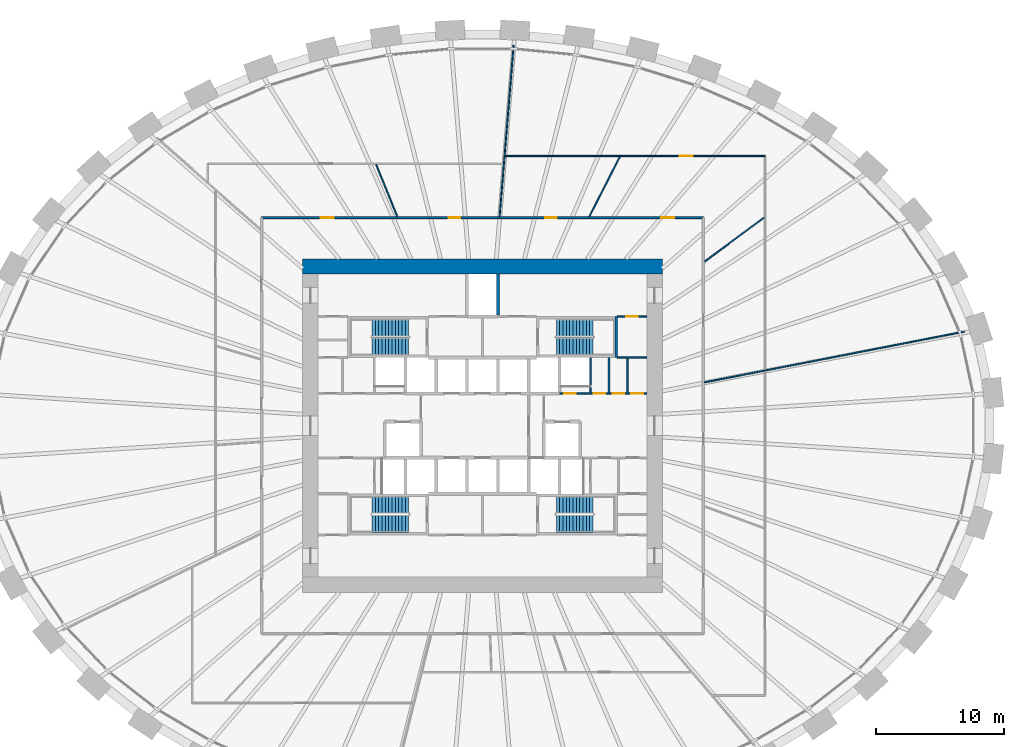
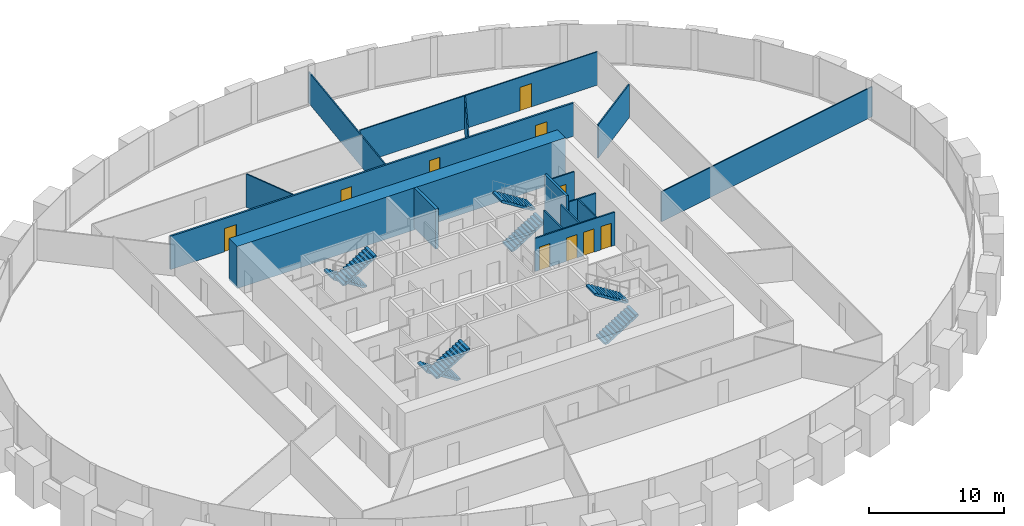
# One storey, part 9 of 10: 16 walls, 10 doors, 8 stair flights, 10 openings, 4 elements without a shape of their own.
"""IFC4 building model written with IfcOpenShell, lengths in metres."""

from ifc_helpers import new_model, si_unit, direction, frame, frame_2d, origin, place, context, subcontext, project, spatial, polyline, rectangle, outline, extrude, source, transform, mapped, material, layer, layer_set, type_object, element, fill, aggregate, save


model = new_model("IFC4")

# Units and contexts
model_context = context("Model", 3, precision=1e-05, world=origin(), true_north=direction((0.0, 1.0)))
body_context = subcontext(model_context, "Body", "Model", "MODEL_VIEW")
ifc_project = project(units=[si_unit("LENGTHUNIT", "METRE"), si_unit("AREAUNIT", "SQUARE_METRE"), si_unit("VOLUMEUNIT", "CUBIC_METRE"), si_unit("PLANEANGLEUNIT", "RADIAN"), si_unit("MASSUNIT", "GRAM", prefix="KILO")], contexts=[model_context])

# Site, building, storey
site_placement = place(None, origin())
site = spatial("IfcSite", under=ifc_project, at=site_placement, CompositionType="ELEMENT")
building_placement = place(site_placement, origin())
building = spatial("IfcBuilding", under=site, at=building_placement, Name="Embergate Tower", CompositionType="ELEMENT")
storey_placement = place(building_placement, frame((0.0, 0.0, 121.10009765625)))
storey = spatial("IfcBuildingStorey", under=building, at=storey_placement, Name="L26", CompositionType="ELEMENT", Elevation=121.10009765625)

# Wall
ifc_material_1 = material(Name="Concrete C80", Category="concrete")
ifc_layer_1 = layer(ifc_material_1, 1.199951171875)
ifc_layer_set_1 = layer_set([ifc_layer_1], Name="Concrete C80")
wall_type_1 = type_object("IfcWallType", Name="Core outer wall C80 1200", PredefinedType="SHEAR", material=ifc_layer_set_1)
shared_shape_1 = source(origin(), body_context, "Body", "SweptSolid", [
    extrude(rectangle(XDim=28.0, YDim=1.199951171875, at=frame_2d((14.0, 0.0))), origin(), (0.0, 0.0, 1.0), 3.800048828125),
])
wall_1_placement = place(storey_placement, frame((-14.0, 12.39990234375, -0.2001953125), z_axis=(0.0, 0.0, 1.0), x_axis=(1.0, 0.0, 0.0)))
element("IfcWall", 1, at=wall_1_placement, inside=storey, type_object=wall_type_1, Name="CW-L26-N", PredefinedType="SHEAR", context=body_context, shape_type="MappedRepresentation", body=[
    mapped(shared_shape_1, transform((0.0, 0.0, 0.0))),
])

# Wall, openings, doors
ifc_material_2 = material(Name="Core partition blockwork 120")
ifc_layer_2 = layer(ifc_material_2, 0.1201171875)
ifc_layer_set_2 = layer_set([ifc_layer_2], Name="Core partition blockwork 120")
wall_type_2 = type_object("IfcWallType", Name="Core partition blockwork 120", PredefinedType="PARTITIONING", material=ifc_layer_set_2)
shared_shape_2 = source(origin(), body_context, "Body", "SweptSolid", [
    extrude(rectangle(XDim=6.800048828125, YDim=0.1201171875, at=frame_2d((3.39990234375, 0.0))), origin(), (0.0, 0.0, 1.0), 3.0),
])
wall_2_placement = place(storey_placement, frame((6.0, 2.5, 0.0), z_axis=(0.0, 0.0, 1.0), x_axis=(1.0, 0.0, 0.0)))
wall_2 = element("IfcWall", 2, at=wall_2_placement, inside=storey, type_object=wall_type_2, Name="IP-3 wall", PredefinedType="PARTITIONING", context=body_context, shape_type="MappedRepresentation", body=[
    mapped(shared_shape_2, transform((0.0, 0.0, 0.0))),
])
shared_shape_3 = source(origin(), body_context, "Body", "SweptSolid", [
    extrude(rectangle(XDim=0.89990234375, YDim=2.10009765625, at=frame_2d((0.449951171875, 1.050048828125))), frame((0.0, 0.070068359375, 0.0), z_axis=(0.0, -1.0, 0.0), x_axis=(1.0, 0.0, 0.0)), (0.0, 0.0, 1.0), 0.14013671875),
])
opening_1_placement = place(wall_2_placement, frame((0.35009765625, 0.0, 0.0)))
opening_1 = element("IfcOpeningElement", 3, at=opening_1_placement, cuts=wall_2, Name="Opening ID-1", PredefinedType="OPENING", context=body_context, shape_type="MappedRepresentation", body=[
    mapped(shared_shape_3, transform((0.0, 0.0, 0.0))),
])
opening_2_placement = place(wall_2_placement, frame((2.676025390625, 0.0, 0.0)))
opening_2 = element("IfcOpeningElement", 4, at=opening_2_placement, cuts=wall_2, Name="Opening ID-1", PredefinedType="OPENING", context=body_context, shape_type="MappedRepresentation", body=[
    mapped(shared_shape_3, transform((0.0, 0.0, 0.0))),
])
opening_3_placement = place(wall_2_placement, frame((4.1279296875, 0.0, 0.0)))
opening_3 = element("IfcOpeningElement", 5, at=opening_3_placement, cuts=wall_2, Name="Opening ID-1", PredefinedType="OPENING", context=body_context, shape_type="MappedRepresentation", body=[
    mapped(shared_shape_3, transform((0.0, 0.0, 0.0))),
])
opening_4_placement = place(wall_2_placement, frame((5.60205078125, 0.0, 0.0)))
opening_4 = element("IfcOpeningElement", 6, at=opening_4_placement, cuts=wall_2, Name="Opening ID-1", PredefinedType="OPENING", context=body_context, shape_type="MappedRepresentation", body=[
    mapped(shared_shape_3, transform((0.0, 0.0, 0.0))),
])
ifc_material_3 = material(Name="Interior door 900")
door_type_1 = type_object("IfcDoorType", Name="Interior door 900", OperationType="SINGLE_SWING_LEFT", PredefinedType="DOOR", material=ifc_material_3)
shared_shape_4 = source(origin(), body_context, "Body", "SweptSolid", [
    extrude(rectangle(XDim=0.89990234375, YDim=2.10009765625, at=frame_2d((0.449951171875, 1.050048828125))), frame((0.0, 0.02490234375, 0.0), z_axis=(0.0, -1.0, 0.0), x_axis=(1.0, 0.0, 0.0)), (0.0, 0.0, 1.0), 0.050048828125),
])
door_1_placement = place(opening_1_placement, origin())
door_1 = element("IfcDoor", 7, at=door_1_placement, inside=storey, type_object=door_type_1, Name="ID-1 door", OperationType="SINGLE_SWING_RIGHT", OverallHeight=2.10009765625, OverallWidth=0.89990234375, PredefinedType="DOOR", context=body_context, shape_type="MappedRepresentation", body=[
    mapped(shared_shape_4, transform((0.0, 0.0, 0.0))),
])
fill(opening_1, door_1)
door_2_placement = place(opening_2_placement, origin())
door_2 = element("IfcDoor", 8, at=door_2_placement, inside=storey, type_object=door_type_1, Name="ID-1 door", OperationType="SINGLE_SWING_RIGHT", OverallHeight=2.10009765625, OverallWidth=0.89990234375, PredefinedType="DOOR", context=body_context, shape_type="MappedRepresentation", body=[
    mapped(shared_shape_4, transform((0.0, 0.0, 0.0))),
])
fill(opening_2, door_2)
door_3_placement = place(opening_3_placement, origin())
door_3 = element("IfcDoor", 9, at=door_3_placement, inside=storey, type_object=door_type_1, Name="ID-1 door", OperationType="SINGLE_SWING_LEFT", OverallHeight=2.10009765625, OverallWidth=0.89990234375, PredefinedType="DOOR", context=body_context, shape_type="MappedRepresentation", body=[
    mapped(shared_shape_4, transform((0.0, 0.0, 0.0))),
])
fill(opening_3, door_3)
door_4_placement = place(opening_4_placement, origin())
door_4 = element("IfcDoor", 10, at=door_4_placement, inside=storey, type_object=door_type_1, Name="ID-1 door", OperationType="SINGLE_SWING_LEFT", OverallHeight=2.10009765625, OverallWidth=0.89990234375, PredefinedType="DOOR", context=body_context, shape_type="MappedRepresentation", body=[
    mapped(shared_shape_4, transform((0.0, 0.0, 0.0))),
])
fill(opening_4, door_4)

# Walls
shared_shape_5 = source(origin(), body_context, "Body", "SweptSolid", [
    extrude(rectangle(XDim=2.739990234375, YDim=0.1201171875, at=frame_2d((1.3701171875, 0.0))), origin(), (0.0, 0.0, 1.0), 3.0),
])
for number, where, z_axis, x_axis, name in (
    (11, (8.39990234375, 2.56005859375, 0.0), (0.0, 0.0, 1.0), (0.0, 1.0, 0.0), "IP-3 wall"),
    (12, (9.85205078125, 2.56005859375, 0.0), (0.0, 0.0, 1.0), (0.0, 1.0, 0.0), "IP-3 wall"),
):
    element("IfcWall", number, at=place(storey_placement, frame(where, z_axis=z_axis, x_axis=x_axis)), inside=storey, type_object=wall_type_2, Name=name, PredefinedType="PARTITIONING", context=body_context, shape_type="MappedRepresentation", body=[
        mapped(shared_shape_5, transform((0.0, 0.0, 0.0))),
    ])

# Wall, opening, door
shared_shape_6 = source(origin(), body_context, "Body", "SweptSolid", [
    extrude(rectangle(XDim=2.300048828125, YDim=0.1201171875, at=frame_2d((1.14990234375, 0.0))), origin(), (0.0, 0.0, 1.0), 3.0),
])
wall_3_placement = place(storey_placement, frame((10.5, 8.5, 0.0), z_axis=(0.0, 0.0, 1.0), x_axis=(1.0, 0.0, 0.0)))
wall_3 = element("IfcWall", 13, at=wall_3_placement, inside=storey, type_object=wall_type_2, Name="IP-3 wall", PredefinedType="PARTITIONING", context=body_context, shape_type="MappedRepresentation", body=[
    mapped(shared_shape_6, transform((0.0, 0.0, 0.0))),
])
opening_5_placement = place(wall_3_placement, frame((0.699951171875, 0.0, 0.0)))
opening_5 = element("IfcOpeningElement", 14, at=opening_5_placement, cuts=wall_3, Name="Opening ID-1", PredefinedType="OPENING", context=body_context, shape_type="MappedRepresentation", body=[
    mapped(shared_shape_3, transform((0.0, 0.0, 0.0))),
])
door_5_placement = place(opening_5_placement, origin())
door_5 = element("IfcDoor", 15, at=door_5_placement, inside=storey, type_object=door_type_1, Name="ID-1 door", OperationType="SINGLE_SWING_LEFT", OverallHeight=2.10009765625, OverallWidth=0.89990234375, PredefinedType="DOOR", context=body_context, shape_type="MappedRepresentation", body=[
    mapped(shared_shape_4, transform((0.0, 0.0, 0.0))),
])
fill(opening_5, door_5)

# Walls
wall_4_placement = place(storey_placement, frame((12.800048828125, 5.300048828125, 0.0), z_axis=(0.0, 0.0, 1.0), x_axis=(-1.0, 0.0, 0.0)))
element("IfcWall", 16, at=wall_4_placement, inside=storey, type_object=wall_type_2, Name="IP-3 wall", PredefinedType="PARTITIONING", context=body_context, shape_type="MappedRepresentation", body=[
    mapped(shared_shape_6, transform((0.0, 0.0, 0.0))),
])
shared_shape_7 = source(origin(), body_context, "Body", "SweptSolid", [
    extrude(rectangle(XDim=2.679931640625, YDim=0.1201171875, at=frame_2d((1.33984375, 0.0))), origin(), (0.0, 0.0, 1.0), 3.0),
])
wall_5_placement = place(storey_placement, frame((11.303955078125, 2.56005859375, 0.0), z_axis=(0.0, 0.0, 1.0), x_axis=(0.0, 1.0, 0.0)))
element("IfcWall", 17, at=wall_5_placement, inside=storey, type_object=wall_type_2, Name="IP-3 wall", PredefinedType="PARTITIONING", context=body_context, shape_type="MappedRepresentation", body=[
    mapped(shared_shape_7, transform((0.0, 0.0, 0.0))),
])
ifc_material_4 = material(Name="Concrete C50", Category="concrete")
ifc_layer_3 = layer(ifc_material_4, 0.199951171875)
ifc_layer_set_3 = layer_set([ifc_layer_3], Name="Concrete C50")
wall_type_3 = type_object("IfcWallType", Name="Stair enclosure wall reinforced concrete 250", PredefinedType="SHEAR", material=ifc_layer_set_3)
shared_shape_8 = source(origin(), body_context, "Body", "SweptSolid", [
    extrude(rectangle(XDim=3.199951171875, YDim=0.199951171875, at=frame_2d((1.60009765625, 0.0))), origin(), (0.0, 0.0, 1.0), 3.599853515625),
])
wall_6_placement = place(storey_placement, frame((10.39990234375, 5.300048828125, 0.0), z_axis=(0.0, 0.0, 1.0), x_axis=(0.0, 1.0, 0.0)))
element("IfcWall", 18, at=wall_6_placement, inside=storey, type_object=wall_type_3, Name="SE-1 wall", PredefinedType="SHEAR", context=body_context, shape_type="MappedRepresentation", body=[
    mapped(shared_shape_8, transform((0.0, 0.0, 0.0))),
])
ifc_layer_4 = layer(ifc_material_4, 0.25)
ifc_layer_set_4 = layer_set([ifc_layer_4], Name="Concrete C50")
wall_type_4 = type_object("IfcWallType", Name="Hoistway wall reinforced concrete 250", PredefinedType="SHEAR", material=ifc_layer_set_4)
shared_shape_9 = source(origin(), body_context, "Body", "SweptSolid", [
    extrude(rectangle(XDim=3.175048828125, YDim=0.25, at=frame_2d((1.58740234375, 0.0))), origin(), (0.0, 0.0, 1.0), 3.599853515625),
])
wall_7_placement = place(storey_placement, frame((1.199951171875, 11.800048828125, 0.0), z_axis=(0.0, 0.0, 1.0), x_axis=(0.0, -1.0, 0.0)))
element("IfcWall", 19, at=wall_7_placement, inside=storey, type_object=wall_type_4, Name="HW-1 wall", PredefinedType="SHEAR", context=body_context, shape_type="MappedRepresentation", body=[
    mapped(shared_shape_9, transform((0.0, 0.0, 0.0))),
])

# Wall, openings, doors
ifc_material_5 = material(Name="Corridor wall dry-lined 150")
ifc_layer_5 = layer(ifc_material_5, 0.14990234375)
ifc_layer_set_5 = layer_set([ifc_layer_5], Name="Corridor wall dry-lined 150")
wall_type_5 = type_object("IfcWallType", Name="Corridor wall dry-lined 150", PredefinedType="PARTITIONING", material=ifc_layer_set_5)
shared_shape_10 = source(origin(), body_context, "Body", "SweptSolid", [
    extrude(rectangle(XDim=34.39990234375, YDim=0.14990234375, at=frame_2d((17.199951171875, 0.0))), origin(), (0.0, 0.0, 1.0), 3.0),
])
wall_8_placement = place(storey_placement, frame((-17.199951171875, 16.199951171875, 0.0), z_axis=(0.0, 0.0, 1.0), x_axis=(1.0, 0.0, 0.0)))
wall_8 = element("IfcWall", 20, at=wall_8_placement, inside=storey, type_object=wall_type_5, Name="IP-2 wall", PredefinedType="PARTITIONING", context=body_context, shape_type="MappedRepresentation", body=[
    mapped(shared_shape_10, transform((0.0, 0.0, 0.0))),
])
shared_shape_11 = source(origin(), body_context, "Body", "SweptSolid", [
    extrude(rectangle(XDim=1.0, YDim=2.10009765625, at=frame_2d((0.5, 1.050048828125))), frame((0.0, 0.0849609375, 0.0), z_axis=(0.0, -1.0, 0.0), x_axis=(1.0, 0.0, 0.0)), (0.0, 0.0, 1.0), 0.169921875),
])
opening_6_placement = place(wall_8_placement, frame((31.12109375, 0.0, 0.0)))
opening_6 = element("IfcOpeningElement", 21, at=opening_6_placement, cuts=wall_8, Name="Opening ID-2", PredefinedType="OPENING", context=body_context, shape_type="MappedRepresentation", body=[
    mapped(shared_shape_11, transform((0.0, 0.0, 0.0))),
])
shared_shape_12 = source(origin(), body_context, "Body", "SweptSolid", [
    extrude(rectangle(XDim=0.89990234375, YDim=2.10009765625, at=frame_2d((0.449951171875, 1.050048828125))), frame((0.0, 0.0849609375, 0.0), z_axis=(0.0, -1.0, 0.0), x_axis=(1.0, 0.0, 0.0)), (0.0, 0.0, 1.0), 0.169921875),
])
opening_7_placement = place(wall_8_placement, frame((22.092041015625, 0.0, 0.0)))
opening_7 = element("IfcOpeningElement", 22, at=opening_7_placement, cuts=wall_8, Name="Opening IF-1c", PredefinedType="OPENING", context=body_context, shape_type="MappedRepresentation", body=[
    mapped(shared_shape_12, transform((0.0, 0.0, 0.0))),
])
opening_8_placement = place(wall_8_placement, frame((14.56103515625, 0.0, 0.0)))
opening_8 = element("IfcOpeningElement", 23, at=opening_8_placement, cuts=wall_8, Name="Opening IF-1c", PredefinedType="OPENING", context=body_context, shape_type="MappedRepresentation", body=[
    mapped(shared_shape_12, transform((0.0, 0.0, 0.0))),
])
opening_9_placement = place(wall_8_placement, frame((4.618896484375, 0.0, 0.0)))
opening_9 = element("IfcOpeningElement", 24, at=opening_9_placement, cuts=wall_8, Name="Opening ID-2", PredefinedType="OPENING", context=body_context, shape_type="MappedRepresentation", body=[
    mapped(shared_shape_11, transform((0.0, 0.0, 0.0))),
])
ifc_material_6 = material(Name="Escape fire door 900")
door_type_2 = type_object("IfcDoorType", Name="Escape fire door 900", OperationType="SINGLE_SWING_LEFT", PredefinedType="DOOR", material=ifc_material_6)
door_6_placement = place(opening_7_placement, origin())
door_6 = element("IfcDoor", 25, at=door_6_placement, inside=storey, type_object=door_type_2, Name="IF-1 door", OperationType="SINGLE_SWING_LEFT", OverallHeight=2.10009765625, OverallWidth=0.89990234375, PredefinedType="DOOR", context=body_context, shape_type="MappedRepresentation", body=[
    mapped(shared_shape_4, transform((0.0, 0.0, 0.0))),
])
fill(opening_7, door_6)
door_7_placement = place(opening_8_placement, origin())
door_7 = element("IfcDoor", 26, at=door_7_placement, inside=storey, type_object=door_type_2, Name="IF-1 door", OperationType="SINGLE_SWING_LEFT", OverallHeight=2.10009765625, OverallWidth=0.89990234375, PredefinedType="DOOR", context=body_context, shape_type="MappedRepresentation", body=[
    mapped(shared_shape_4, transform((0.0, 0.0, 0.0))),
])
fill(opening_8, door_7)
ifc_material_7 = material(Name="Interior door 1000")
door_type_3 = type_object("IfcDoorType", Name="Interior door 1000", OperationType="SINGLE_SWING_LEFT", PredefinedType="DOOR", material=ifc_material_7)
shared_shape_13 = source(origin(), body_context, "Body", "SweptSolid", [
    extrude(rectangle(XDim=1.0, YDim=2.10009765625, at=frame_2d((0.5, 1.050048828125))), frame((0.0, 0.02490234375, 0.0), z_axis=(0.0, -1.0, 0.0), x_axis=(1.0, 0.0, 0.0)), (0.0, 0.0, 1.0), 0.050048828125),
])
door_8_placement = place(opening_6_placement, origin())
door_8 = element("IfcDoor", 27, at=door_8_placement, inside=storey, type_object=door_type_3, Name="ID-2 door", OperationType="SINGLE_SWING_LEFT", OverallHeight=2.10009765625, OverallWidth=1.0, PredefinedType="DOOR", context=body_context, shape_type="MappedRepresentation", body=[
    mapped(shared_shape_13, transform((0.0, 0.0, 0.0))),
])
fill(opening_6, door_8)
door_9_placement = place(opening_9_placement, origin())
door_9 = element("IfcDoor", 28, at=door_9_placement, inside=storey, type_object=door_type_3, Name="ID-2 door", OperationType="SINGLE_SWING_RIGHT", OverallHeight=2.10009765625, OverallWidth=1.0, PredefinedType="DOOR", context=body_context, shape_type="MappedRepresentation", body=[
    mapped(shared_shape_13, transform((0.0, 0.0, 0.0))),
])
fill(opening_9, door_9)

# Walls
ifc_material_8 = material(Name="Partition dry-lined 100")
ifc_layer_6 = layer(ifc_material_8, 0.10009765625)
ifc_layer_set_6 = layer_set([ifc_layer_6], Name="Partition dry-lined 100")
wall_type_6 = type_object("IfcWallType", Name="Partition dry-lined 100", PredefinedType="PARTITIONING", material=ifc_layer_set_6)
shared_shape_14 = source(origin(), body_context, "Body", "SweptSolid", [
    extrude(rectangle(XDim=20.624755859375, YDim=0.10009765625, at=frame_2d((10.3125, 0.0))), origin(), (0.0, 0.0, 1.0), 2.699951171875),
])
wall_9_placement = place(storey_placement, frame((37.527099609375, 7.3310546875, 0.0), z_axis=(0.0, 0.0, 1.0), x_axis=(-0.981450411969, -0.191716167409, 0.0)))
element("IfcWall", 29, at=wall_9_placement, inside=storey, type_object=wall_type_6, Name="IP-1 wall", PredefinedType="PARTITIONING", context=body_context, shape_type="MappedRepresentation", body=[
    mapped(shared_shape_14, transform((0.0, 0.0, 0.0))),
])
shared_shape_15 = source(origin(), body_context, "Body", "SweptSolid", [
    extrude(rectangle(XDim=5.7392578125, YDim=0.10009765625, at=frame_2d((2.86962890625, 0.0))), origin(), (0.0, 0.0, 1.0), 3.0),
])
wall_10_placement = place(storey_placement, frame((17.304931640625, 12.7890625, 0.0), z_axis=(0.0, 0.0, 1.0), x_axis=(0.804110716307, 0.594479567285, 0.0)))
element("IfcWall", 30, at=wall_10_placement, inside=storey, type_object=wall_type_6, Name="IP-1 wall", PredefinedType="PARTITIONING", context=body_context, shape_type="MappedRepresentation", body=[
    mapped(shared_shape_15, transform((0.0, 0.0, 0.0))),
])
shared_shape_16 = source(origin(), body_context, "Body", "SweptSolid", [
    extrude(rectangle(XDim=5.197265625, YDim=0.10009765625, at=frame_2d((2.5986328125, 0.0))), origin(), (0.0, 0.0, 1.0), 3.0),
])
wall_11_placement = place(storey_placement, frame((8.321044921875, 16.298095703125, 0.0), z_axis=(0.0, 0.0, 1.0), x_axis=(0.454676472445, 0.890656670892, 0.0)))
element("IfcWall", 31, at=wall_11_placement, inside=storey, type_object=wall_type_6, Name="IP-1 wall", PredefinedType="PARTITIONING", context=body_context, shape_type="MappedRepresentation", body=[
    mapped(shared_shape_16, transform((0.0, 0.0, 0.0))),
])

# Wall, opening, door
shared_shape_17 = source(origin(), body_context, "Body", "SweptSolid", [
    extrude(rectangle(XDim=20.23291015625, YDim=0.10009765625, at=frame_2d((10.116455078125, 0.0))), origin(), (0.0, 0.0, 1.0), 3.0),
])
wall_12_placement = place(storey_placement, frame((1.76708984375, 21.0, 0.0), z_axis=(0.0, 0.0, 1.0), x_axis=(1.0, 0.0, 0.0)))
wall_12 = element("IfcWall", 32, at=wall_12_placement, inside=storey, type_object=wall_type_6, Name="IP-1 wall", PredefinedType="PARTITIONING", context=body_context, shape_type="MappedRepresentation", body=[
    mapped(shared_shape_17, transform((0.0, 0.0, 0.0))),
])
shared_shape_18 = source(origin(), body_context, "Body", "SweptSolid", [
    extrude(rectangle(XDim=1.0, YDim=2.10009765625, at=frame_2d((0.5, 1.050048828125))), frame((0.0, 0.06005859375, 0.0), z_axis=(0.0, -1.0, 0.0), x_axis=(1.0, 0.0, 0.0)), (0.0, 0.0, 1.0), 0.1201171875),
])
opening_10_placement = place(wall_12_placement, frame((13.609619140625, 0.0, 0.0)))
opening_10 = element("IfcOpeningElement", 33, at=opening_10_placement, cuts=wall_12, Name="Opening ID-2", PredefinedType="OPENING", context=body_context, shape_type="MappedRepresentation", body=[
    mapped(shared_shape_18, transform((0.0, 0.0, 0.0))),
])
door_10_placement = place(opening_10_placement, origin())
door_10 = element("IfcDoor", 34, at=door_10_placement, inside=storey, type_object=door_type_3, Name="ID-2 door", OperationType="SINGLE_SWING_LEFT", OverallHeight=2.10009765625, OverallWidth=1.0, PredefinedType="DOOR", context=body_context, shape_type="MappedRepresentation", body=[
    mapped(shared_shape_13, transform((0.0, 0.0, 0.0))),
])
fill(opening_10, door_10)

# Walls
shared_shape_19 = source(origin(), body_context, "Body", "SweptSolid", [
    extrude(rectangle(XDim=13.411865234375, YDim=0.10009765625, at=frame_2d((6.7060546875, 0.0))), origin(), (0.0, 0.0, 1.0), 2.7998046875),
])
wall_13_placement = place(storey_placement, frame((2.424072265625, 29.64208984375, 0.0), z_axis=(0.0, 0.0, 1.0), x_axis=(-0.081496707989, -0.996673610861, 0.0)))
element("IfcWall", 35, at=wall_13_placement, inside=storey, type_object=wall_type_6, Name="IP-1 wall", PredefinedType="PARTITIONING", context=body_context, shape_type="MappedRepresentation", body=[
    mapped(shared_shape_19, transform((0.0, 0.0, 0.0))),
])
shared_shape_20 = source(origin(), body_context, "Body", "SweptSolid", [
    extrude(rectangle(XDim=4.35986328125, YDim=0.10009765625, at=frame_2d((2.179931640625, 0.0))), origin(), (0.0, 0.0, 1.0), 3.0),
])
wall_14_placement = place(storey_placement, frame((-6.639892578125, 16.2939453125, 0.0), z_axis=(0.0, 0.0, 1.0), x_axis=(-0.377542345429, 0.925992320383, 0.0)))
element("IfcWall", 36, at=wall_14_placement, inside=storey, type_object=wall_type_6, Name="IP-1 wall", PredefinedType="PARTITIONING", context=body_context, shape_type="MappedRepresentation", body=[
    mapped(shared_shape_20, transform((0.0, 0.0, 0.0))),
])

# Stair, stair flights
ifc_material_9 = material(Name="Exit stair")
stair_type = type_object("IfcStairType", Name="Exit stair", PredefinedType="HALF_TURN_STAIR", material=ifc_material_9)
stair_1_placement = place(storey_placement, origin())
stair_1 = element("IfcStair", 37, at=stair_1_placement, inside=storey, type_object=stair_type, Name="L26 Exit stair 1", PredefinedType="HALF_TURN_STAIR")
ifc_material_10 = material(Name="Concrete C40", Category="concrete")
stair_flight_type = type_object("IfcStairFlightType", Name="Stair flight reinforced concrete", PredefinedType="STRAIGHT", material=ifc_material_10)
shared_shape_21 = source(origin(), body_context, "Body", "SweptSolid", [
    extrude(outline(polyline([(0.0, 0.0), (0.0, 0.16259765625), (0.260009765625, 0.16259765625), (0.260009765625, 0.324951171875), (0.52001953125, 0.324951171875), (0.52001953125, 0.487548828125), (0.780029296875, 0.487548828125), (0.780029296875, 0.64990234375), (1.0400390625, 0.64990234375), (1.0400390625, 0.8125), (1.300048828125, 0.8125), (1.300048828125, 0.97509765625), (1.56005859375, 0.97509765625), (1.56005859375, 1.137451171875), (1.820068359375, 1.137451171875), (1.820068359375, 1.300048828125), (2.080078125, 1.300048828125), (2.080078125, 1.46240234375), (2.340087890625, 1.46240234375), (2.340087890625, 1.625), (2.60009765625, 1.625), (2.60009765625, 1.78759765625), (2.860107421875, 1.78759765625), (2.860107421875, 1.949951171875), (2.860107421875, 1.61083984375), (0.28271484375, 0.0), (0.0, 0.0)])), frame((0.0, 0.675048828125, 0.0), z_axis=(0.0, -1.0, 0.0), x_axis=(1.0, 0.0, 0.0)), (0.0, 0.0, 1.0), 1.35009765625),
])
stair_flight_1_placement = place(storey_placement, frame((-5.75, 7.625, 0.0), z_axis=(0.0, 0.0, 1.0), x_axis=(-1.0, 0.0, 0.0)))
stair_flight_1 = element("IfcStairFlight", 38, at=stair_flight_1_placement, type_object=stair_flight_type, Name="ST1 flight 1", NumberOfRisers=12, NumberOfTreads=11, PredefinedType="STRAIGHT", RiserHeight=0.1625, TreadLength=0.26, context=body_context, shape_type="MappedRepresentation", body=[
    mapped(shared_shape_21, transform((0.0, 0.0, 0.0))),
])
stair_flight_2_placement = place(storey_placement, frame((-8.610107421875, 6.175048828125, 1.949951171875), z_axis=(0.0, 0.0, 1.0), x_axis=(1.0, 0.0, 0.0)))
stair_flight_2 = element("IfcStairFlight", 39, at=stair_flight_2_placement, type_object=stair_flight_type, Name="ST1 flight 2", NumberOfRisers=12, NumberOfTreads=11, PredefinedType="STRAIGHT", RiserHeight=0.1625, TreadLength=0.26, context=body_context, shape_type="MappedRepresentation", body=[
    mapped(shared_shape_21, transform((0.0, 0.0, 0.0))),
])
aggregate(stair_1, [stair_flight_1, stair_flight_2])

stair_2_placement = place(storey_placement, origin())
stair_2 = element("IfcStair", 40, at=stair_2_placement, inside=storey, type_object=stair_type, Name="L26 Exit stair 2", PredefinedType="HALF_TURN_STAIR")
stair_flight_3_placement = place(storey_placement, frame((5.75, 6.175048828125, 0.0), z_axis=(0.0, 0.0, 1.0), x_axis=(1.0, 0.0, 0.0)))
stair_flight_3 = element("IfcStairFlight", 41, at=stair_flight_3_placement, type_object=stair_flight_type, Name="ST2 flight 1", NumberOfRisers=12, NumberOfTreads=11, PredefinedType="STRAIGHT", RiserHeight=0.1625, TreadLength=0.26, context=body_context, shape_type="MappedRepresentation", body=[
    mapped(shared_shape_21, transform((0.0, 0.0, 0.0))),
])
stair_flight_4_placement = place(storey_placement, frame((8.610107421875, 7.625, 1.949951171875), z_axis=(0.0, 0.0, 1.0), x_axis=(-1.0, 0.0, 0.0)))
stair_flight_4 = element("IfcStairFlight", 42, at=stair_flight_4_placement, type_object=stair_flight_type, Name="ST2 flight 2", NumberOfRisers=12, NumberOfTreads=11, PredefinedType="STRAIGHT", RiserHeight=0.1625, TreadLength=0.26, context=body_context, shape_type="MappedRepresentation", body=[
    mapped(shared_shape_21, transform((0.0, 0.0, 0.0))),
])
aggregate(stair_2, [stair_flight_3, stair_flight_4])

stair_3_placement = place(storey_placement, origin())
stair_3 = element("IfcStair", 43, at=stair_3_placement, inside=storey, type_object=stair_type, Name="L26 Exit stair 3", PredefinedType="HALF_TURN_STAIR")
stair_flight_5_placement = place(storey_placement, frame((-5.75, -6.175048828125, 0.0), z_axis=(0.0, 0.0, 1.0), x_axis=(-1.0, 0.0, 0.0)))
stair_flight_5 = element("IfcStairFlight", 44, at=stair_flight_5_placement, type_object=stair_flight_type, Name="ST3 flight 1", NumberOfRisers=12, NumberOfTreads=11, PredefinedType="STRAIGHT", RiserHeight=0.1625, TreadLength=0.26, context=body_context, shape_type="MappedRepresentation", body=[
    mapped(shared_shape_21, transform((0.0, 0.0, 0.0))),
])
stair_flight_6_placement = place(storey_placement, frame((-8.610107421875, -7.625, 1.949951171875), z_axis=(0.0, 0.0, 1.0), x_axis=(1.0, 0.0, 0.0)))
stair_flight_6 = element("IfcStairFlight", 45, at=stair_flight_6_placement, type_object=stair_flight_type, Name="ST3 flight 2", NumberOfRisers=12, NumberOfTreads=11, PredefinedType="STRAIGHT", RiserHeight=0.1625, TreadLength=0.26, context=body_context, shape_type="MappedRepresentation", body=[
    mapped(shared_shape_21, transform((0.0, 0.0, 0.0))),
])
aggregate(stair_3, [stair_flight_5, stair_flight_6])

stair_4_placement = place(storey_placement, origin())
stair_4 = element("IfcStair", 46, at=stair_4_placement, inside=storey, type_object=stair_type, Name="L26 Exit stair 4", PredefinedType="HALF_TURN_STAIR")
stair_flight_7_placement = place(storey_placement, frame((5.75, -7.625, 0.0), z_axis=(0.0, 0.0, 1.0), x_axis=(1.0, 0.0, 0.0)))
stair_flight_7 = element("IfcStairFlight", 47, at=stair_flight_7_placement, type_object=stair_flight_type, Name="ST4 flight 1", NumberOfRisers=12, NumberOfTreads=11, PredefinedType="STRAIGHT", RiserHeight=0.1625, TreadLength=0.26, context=body_context, shape_type="MappedRepresentation", body=[
    mapped(shared_shape_21, transform((0.0, 0.0, 0.0))),
])
stair_flight_8_placement = place(storey_placement, frame((8.610107421875, -6.175048828125, 1.949951171875), z_axis=(0.0, 0.0, 1.0), x_axis=(-1.0, 0.0, 0.0)))
stair_flight_8 = element("IfcStairFlight", 48, at=stair_flight_8_placement, type_object=stair_flight_type, Name="ST4 flight 2", NumberOfRisers=12, NumberOfTreads=11, PredefinedType="STRAIGHT", RiserHeight=0.1625, TreadLength=0.26, context=body_context, shape_type="MappedRepresentation", body=[
    mapped(shared_shape_21, transform((0.0, 0.0, 0.0))),
])
aggregate(stair_4, [stair_flight_7, stair_flight_8])

save(model, "model.ifc")
